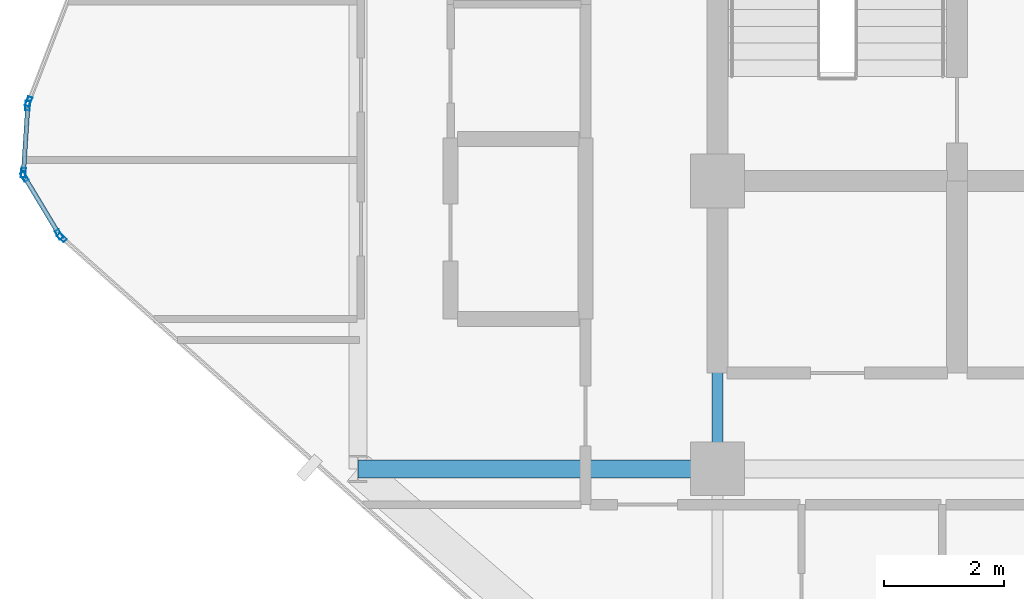
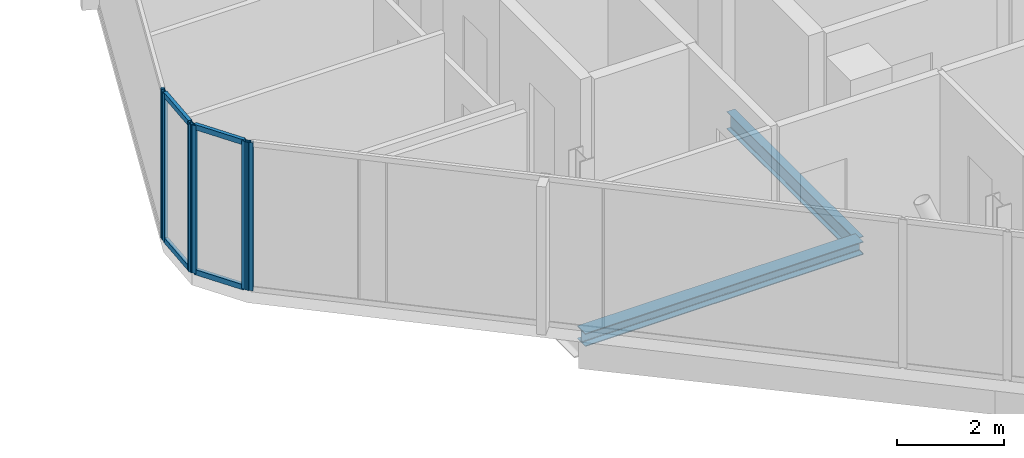
# One storey, part 8 of 29: 10 members, 2 beams, 4 elements without a shape of their own.
"""IFC4 building model written with IfcOpenShell, lengths in metres."""

from ifc_helpers import new_model, si_unit, direction, frame, origin, origin_2d, place, context, subcontext, project, spatial, hollow_rectangle, i_section, extrude, material, layer, layer_set, material_profile, profile_set, type_object, element, aggregate, save


model = new_model("IFC4")

# Units and contexts
model_context = context("Model", 3, precision=1e-05, world=origin(), true_north=direction((0.0, 1.0)))
body_context = subcontext(model_context, "Body", "Model", "MODEL_VIEW")
ifc_project = project(units=[si_unit("LENGTHUNIT", "METRE"), si_unit("AREAUNIT", "SQUARE_METRE"), si_unit("VOLUMEUNIT", "CUBIC_METRE"), si_unit("PLANEANGLEUNIT", "RADIAN"), si_unit("MASSUNIT", "GRAM", prefix="KILO")], contexts=[model_context])

# Site, building, storey
site_placement = place(None, origin())
site = spatial("IfcSite", under=ifc_project, at=site_placement, CompositionType="ELEMENT")
building_placement = place(site_placement, origin())
building = spatial("IfcBuilding", under=site, at=building_placement, Name="Keshet Zoharim Tower", CompositionType="ELEMENT")
storey_placement = place(building_placement, frame((0.0, 0.0, 180.199951171875)))
storey = spatial("IfcBuildingStorey", under=building, at=storey_placement, Name="L44", CompositionType="ELEMENT", Elevation=180.199951171875)

# Beams
ifc_material_1 = material(Name="Steel S355", Category="steel")
ifc_material_profile_1 = material_profile(ifc_material_1, i_section(OverallWidth=0.300048828125, OverallDepth=0.300048828125, WebThickness=0.010986328125, FlangeThickness=0.01904296875, FilletRadius=0.027099609375, at=origin_2d()), Name="HEB300")
ifc_profile_set_1 = profile_set([ifc_material_profile_1], Name="Steel S355")
beam_type_1 = type_object("IfcBeamType", Name="BM-PRI-HB300", PredefinedType="BEAM", material=ifc_profile_set_1)
beam_1_placement = place(storey_placement, frame((9.0, 17.89990234375, -0.4599609375), z_axis=(1.0, 0.0, 0.0), x_axis=(0.0, 1.0, 0.0)))
element("IfcBeam", 1, at=beam_1_placement, inside=storey, type_object=beam_type_1, Name="L44 Primary Girder X-011", PredefinedType="BEAM", context=body_context, shape_type="SweptSolid", body=[
    extrude(i_section(OverallWidth=0.300048828125, OverallDepth=0.300048828125, WebThickness=0.010986328125, FlangeThickness=0.01904296875, FilletRadius=0.027099609375, at=origin_2d()), origin(), (0.0, 0.0, 1.0), 6.0),
])
ifc_material_profile_2 = material_profile(ifc_material_1, i_section(OverallWidth=0.179931640625, OverallDepth=0.39990234375, WebThickness=0.008544921875, FlangeThickness=0.013427734375, FilletRadius=0.02099609375, at=origin_2d()), Name="IPE400")
ifc_profile_set_2 = profile_set([ifc_material_profile_2], Name="Steel S355")
beam_type_2 = type_object("IfcBeamType", Name="BM-PRI-IP400", PredefinedType="BEAM", material=ifc_profile_set_2)
beam_2_placement = place(storey_placement, frame((15.0, 17.89990234375, -0.510009765625), z_axis=(0.0, 1.0, 0.0), x_axis=(-1.0, 0.0, 0.0)))
element("IfcBeam", 2, at=beam_2_placement, inside=storey, type_object=beam_type_2, Name="L44 Primary Girder Y-003", PredefinedType="BEAM", context=body_context, shape_type="SweptSolid", body=[
    extrude(i_section(OverallWidth=0.179931640625, OverallDepth=0.39990234375, WebThickness=0.008544921875, FlangeThickness=0.013427734375, FilletRadius=0.02099609375, at=origin_2d()), origin(), (0.0, 0.0, 1.0), 4.800048828125),
])

# Curtain wall, member
ifc_material_2 = material(Name="Aluminium 6063-T6", Category="aluminium")
ifc_layer = layer(ifc_material_2, 0.139892578125)
ifc_layer_set = layer_set([ifc_layer], Name="Aluminium 6063-T6")
curtain_wall_type = type_object("IfcCurtainWallType", Name="CW-SYS-05", PredefinedType="NOTDEFINED", material=ifc_layer_set)
curtain_wall_1_placement = place(storey_placement, origin())
curtain_wall_1 = element("IfcCurtainWall", 3, at=curtain_wall_1_placement, inside=storey, type_object=curtain_wall_type, Name="L44 Unitised Curtain Wall 10 Part 3", PredefinedType="NOTDEFINED")
ifc_material_profile_3 = material_profile(ifc_material_2, hollow_rectangle(XDim=0.074951171875, YDim=0.159912109375, WallThickness=0.00390625, at=origin_2d()), Name="MUL-75x160")
ifc_profile_set_3 = profile_set([ifc_material_profile_3], Name="Aluminium 6063-T6")
member_type_1 = type_object("IfcMemberType", Name="CWM-M15", PredefinedType="MULLION", material=ifc_profile_set_3)
member_1_placement = place(storey_placement, frame((4.061279296875, 21.7568359375, 0.0), z_axis=(0.0, 0.0, 1.0), x_axis=(-0.664362844107, -0.74741020288, 0.0)))
member_1 = element("IfcMember", 4, at=member_1_placement, type_object=member_type_1, Name="CW-05 mullion 2", PredefinedType="MULLION", context=body_context, shape_type="SweptSolid", body=[
    extrude(hollow_rectangle(XDim=0.074951171875, YDim=0.159912109375, WallThickness=0.00390625, at=origin_2d()), origin(), (0.0, 0.0, 1.0), 3.380126953125),
])
aggregate(curtain_wall_1, [member_1])

# Curtain wall, members
curtain_wall_2_placement = place(storey_placement, origin())
curtain_wall_2 = element("IfcCurtainWall", 5, at=curtain_wall_2_placement, inside=storey, type_object=curtain_wall_type, Name="L44 Unitised Curtain Wall 11", PredefinedType="NOTDEFINED")
member_2_placement = place(storey_placement, frame((4.016845703125, 21.81005859375, 0.0), z_axis=(0.0, 0.0, 1.0), x_axis=(-0.856826433805, -0.515604947933, 0.0)))
member_2 = element("IfcMember", 6, at=member_2_placement, type_object=member_type_1, Name="CW-05 mullion 1", PredefinedType="MULLION", context=body_context, shape_type="SweptSolid", body=[
    extrude(hollow_rectangle(XDim=0.074951171875, YDim=0.159912109375, WallThickness=0.00390625, at=origin_2d()), origin(), (0.0, 0.0, 1.0), 3.380126953125),
])
member_3_placement = place(storey_placement, frame((3.43798828125, 22.77197265625, 0.0), z_axis=(0.0, 0.0, 1.0), x_axis=(-0.856826433805, -0.515604947933, 0.0)))
member_3 = element("IfcMember", 7, at=member_3_placement, type_object=member_type_1, Name="CW-05 mullion 2", PredefinedType="MULLION", context=body_context, shape_type="SweptSolid", body=[
    extrude(hollow_rectangle(XDim=0.074951171875, YDim=0.159912109375, WallThickness=0.00390625, at=origin_2d()), origin(), (0.0, 0.0, 1.0), 3.380126953125),
])

curtain_wall_3_placement = place(storey_placement, origin())
curtain_wall_3 = element("IfcCurtainWall", 8, at=curtain_wall_3_placement, inside=storey, type_object=curtain_wall_type, Name="L44 Unitised Curtain Wall 12", PredefinedType="NOTDEFINED")
member_4_placement = place(storey_placement, frame((3.42236328125, 22.8369140625, 0.0), z_axis=(0.0, 0.0, 1.0), x_axis=(-0.997916617186, 0.064516859374, 0.0)))
member_4 = element("IfcMember", 9, at=member_4_placement, type_object=member_type_1, Name="CW-05 mullion 1", PredefinedType="MULLION", context=body_context, shape_type="SweptSolid", body=[
    extrude(hollow_rectangle(XDim=0.074951171875, YDim=0.159912109375, WallThickness=0.00390625, at=origin_2d()), origin(), (0.0, 0.0, 1.0), 3.380126953125),
])
member_5_placement = place(storey_placement, frame((3.49462890625, 23.9580078125, 0.0), z_axis=(0.0, 0.0, 1.0), x_axis=(-0.997916617186, 0.064516859374, 0.0)))
member_5 = element("IfcMember", 10, at=member_5_placement, type_object=member_type_1, Name="CW-05 mullion 2", PredefinedType="MULLION", context=body_context, shape_type="SweptSolid", body=[
    extrude(hollow_rectangle(XDim=0.074951171875, YDim=0.159912109375, WallThickness=0.00390625, at=origin_2d()), origin(), (0.0, 0.0, 1.0), 3.380126953125),
])

# Curtain wall, member
curtain_wall_4_placement = place(storey_placement, origin())
curtain_wall_4 = element("IfcCurtainWall", 11, at=curtain_wall_4_placement, inside=storey, type_object=curtain_wall_type, Name="L44 Unitised Curtain Wall 13", PredefinedType="NOTDEFINED")
member_6_placement = place(storey_placement, frame((3.509521484375, 24.025634765625, 0.0), z_axis=(0.0, 0.0, 1.0), x_axis=(-0.933341404361, 0.358990003907, 0.0)))
member_6 = element("IfcMember", 12, at=member_6_placement, type_object=member_type_1, Name="CW-05 mullion 1", PredefinedType="MULLION", context=body_context, shape_type="SweptSolid", body=[
    extrude(hollow_rectangle(XDim=0.074951171875, YDim=0.159912109375, WallThickness=0.00390625, at=origin_2d()), origin(), (0.0, 0.0, 1.0), 3.380126953125),
])
aggregate(curtain_wall_4, [member_6])

# Member
ifc_material_profile_4 = material_profile(ifc_material_2, hollow_rectangle(XDim=0.074951171875, YDim=0.1201171875, WallThickness=0.00390625, at=origin_2d()), Name="TRN-75x120")
ifc_profile_set_4 = profile_set([ifc_material_profile_4], Name="Aluminium 6063-T6")
member_type_2 = type_object("IfcMemberType", Name="CWT-T12", PredefinedType="USERDEFINED", material=ifc_profile_set_4)
member_7_placement = place(storey_placement, frame((3.9990234375, 21.840087890625, 0.03515625), z_axis=(-0.515791194107, 0.856714330499, 0.0), x_axis=(-0.856714330499, -0.515791194107, 0.0)))
member_7 = element("IfcMember", 13, at=member_7_placement, type_object=member_type_2, Name="CW-05 transom 1.1", ObjectType="TRANSOM", PredefinedType="USERDEFINED", context=body_context, shape_type="SweptSolid", body=[
    extrude(hollow_rectangle(XDim=0.074951171875, YDim=0.1201171875, WallThickness=0.00390625, at=origin_2d()), origin(), (0.0, 0.0, 1.0), 1.052734375),
])

member_8_placement = place(storey_placement, frame((3.9990234375, 21.840087890625, 3.344970703125), z_axis=(-0.515791194107, 0.856714330499, 0.0), x_axis=(-0.856714330499, -0.515791194107, 0.0)))
member_8 = element("IfcMember", 14, at=member_8_placement, type_object=member_type_2, Name="CW-05 transom 1.2", ObjectType="TRANSOM", PredefinedType="USERDEFINED", context=body_context, shape_type="SweptSolid", body=[
    extrude(hollow_rectangle(XDim=0.074951171875, YDim=0.1201171875, WallThickness=0.00390625, at=origin_2d()), origin(), (0.0, 0.0, 1.0), 1.052734375),
])

aggregate(curtain_wall_2, [member_2, member_3, member_7, member_8])

member_9_placement = place(storey_placement, frame((3.424560546875, 22.871826171875, 0.03515625), z_axis=(0.064426947155, 0.997922426083, 0.0), x_axis=(-0.997922426083, 0.064426947155, 0.0)))
member_9 = element("IfcMember", 15, at=member_9_placement, type_object=member_type_2, Name="CW-05 transom 1.1", ObjectType="TRANSOM", PredefinedType="USERDEFINED", context=body_context, shape_type="SweptSolid", body=[
    extrude(hollow_rectangle(XDim=0.074951171875, YDim=0.1201171875, WallThickness=0.00390625, at=origin_2d()), origin(), (0.0, 0.0, 1.0), 1.053466796875),
])

member_10_placement = place(storey_placement, frame((3.424560546875, 22.871826171875, 3.344970703125), z_axis=(0.064426947155, 0.997922426083, 0.0), x_axis=(-0.997922426083, 0.064426947155, 0.0)))
member_10 = element("IfcMember", 16, at=member_10_placement, type_object=member_type_2, Name="CW-05 transom 1.2", ObjectType="TRANSOM", PredefinedType="USERDEFINED", context=body_context, shape_type="SweptSolid", body=[
    extrude(hollow_rectangle(XDim=0.074951171875, YDim=0.1201171875, WallThickness=0.00390625, at=origin_2d()), origin(), (0.0, 0.0, 1.0), 1.053466796875),
])

aggregate(curtain_wall_3, [member_4, member_5, member_9, member_10])

save(model, "model.ifc")
